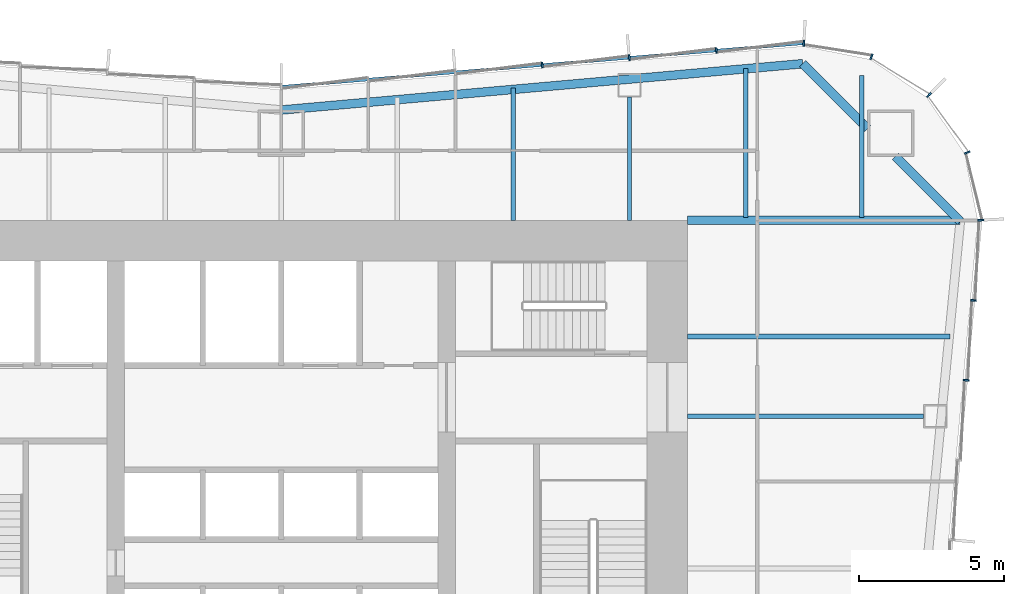
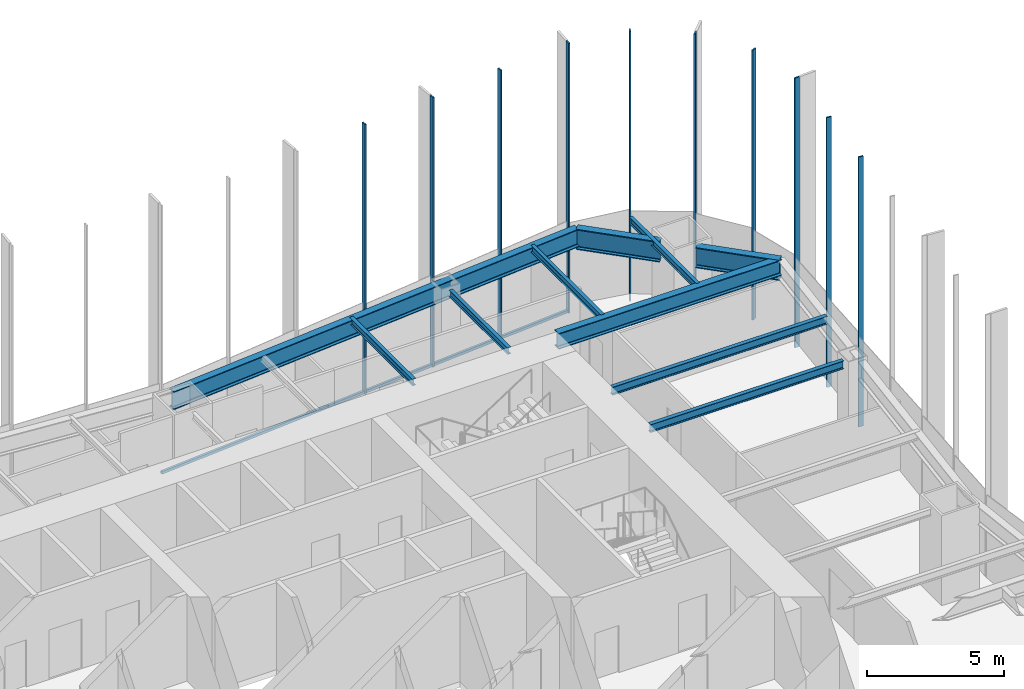
# One storey, part 7 of 13: 11 members, 10 beams, 3 elements without a shape of their own.
"""IFC4 building model written with IfcOpenShell, lengths in metres."""

from ifc_helpers import new_model, si_unit, direction, frame, origin, origin_2d, place, context, subcontext, project, spatial, rectangle, i_section, extrude, material, material_profile, profile_set, type_object, element, aggregate, save


model = new_model("IFC4")

# Units and contexts
model_context = context("Model", 3, precision=1e-05, world=origin(), true_north=direction((0.0, 1.0)))
body_context = subcontext(model_context, "Body", "Model", "MODEL_VIEW")
ifc_project = project(units=[si_unit("LENGTHUNIT", "METRE"), si_unit("AREAUNIT", "SQUARE_METRE"), si_unit("VOLUMEUNIT", "CUBIC_METRE"), si_unit("PLANEANGLEUNIT", "RADIAN"), si_unit("MASSUNIT", "GRAM", prefix="KILO")], contexts=[model_context])

# Site, building, storey
site_placement = place(None, origin())
site = spatial("IfcSite", under=ifc_project, at=site_placement, CompositionType="ELEMENT")
building_placement = place(site_placement, origin())
building = spatial("IfcBuilding", under=site, at=building_placement, Name="Verdant Reach Tower", CompositionType="ELEMENT")
storey_placement = place(building_placement, frame((0.0, 0.0, 14.0)))
storey = spatial("IfcBuildingStorey", under=building, at=storey_placement, Name="L02", CompositionType="ELEMENT", Elevation=14.0)

# Curtain wall, members
ifc_material_1 = material(Name="Anodised aluminium", Category="aluminium")
curtain_wall_type = type_object("IfcCurtainWallType", Name="EN-CW SYSTEM Z0", PredefinedType="NOTDEFINED", material=ifc_material_1)
curtain_wall_1_placement = place(storey_placement, origin())
curtain_wall_1 = element("IfcCurtainWall", 1, at=curtain_wall_1_placement, inside=storey, type_object=curtain_wall_type, Name="Curtain wall east, L02", PredefinedType="NOTDEFINED")
ifc_material_profile_1 = material_profile(ifc_material_1, rectangle(XDim=0.199951171875, YDim=0.06005859375, at=origin_2d()), Name="Mullion 60x200")
ifc_profile_set_1 = profile_set([ifc_material_profile_1], Name="Anodised aluminium")
member_type_1 = type_object("IfcMemberType", Name="EN-MULLION Z0", PredefinedType="MULLION", material=ifc_profile_set_1)
member_1_placement = place(storey_placement, frame((23.599609375, 33.490966796875, -0.35009765625), z_axis=(0.0, 0.0, 1.0), x_axis=(0.995893206467, -0.090535746047, 0.0)))
member_1 = element("IfcMember", 2, at=member_1_placement, type_object=member_type_1, Name="Mullion east face part 2 5, L02", PredefinedType="MULLION", context=body_context, shape_type="SweptSolid", body=[
    extrude(rectangle(XDim=0.199951171875, YDim=0.06005859375, at=origin_2d()), origin(), (0.0, 0.0, 1.0), 12.0),
])
member_2_placement = place(storey_placement, frame((23.849609375, 36.240966796875, -0.35009765625), z_axis=(0.0, 0.0, 1.0), x_axis=(0.995893206467, -0.090535746047, 0.0)))
member_2 = element("IfcMember", 3, at=member_2_placement, type_object=member_type_1, Name="Mullion east face part 2 6, L02", PredefinedType="MULLION", context=body_context, shape_type="SweptSolid", body=[
    extrude(rectangle(XDim=0.199951171875, YDim=0.06005859375, at=origin_2d()), origin(), (0.0, 0.0, 1.0), 12.0),
])
aggregate(curtain_wall_1, [member_1, member_2])

curtain_wall_2_placement = place(storey_placement, origin())
curtain_wall_2 = element("IfcCurtainWall", 4, at=curtain_wall_2_placement, inside=storey, type_object=curtain_wall_type, Name="Curtain wall north-east corner, L02", PredefinedType="NOTDEFINED")
member_3_placement = place(storey_placement, frame((24.099853515625, 39.00537109375, -0.35009765625), z_axis=(0.0, 0.0, 1.0), x_axis=(0.998604288049, 0.052815489107, 0.0)))
member_3 = element("IfcMember", 5, at=member_3_placement, type_object=member_type_1, Name="Mullion north-east corner 1, L02", PredefinedType="MULLION", context=body_context, shape_type="SweptSolid", body=[
    extrude(rectangle(XDim=0.199951171875, YDim=0.06005859375, at=origin_2d()), origin(), (0.0, 0.0, 1.0), 12.0),
])
member_4_placement = place(storey_placement, frame((23.6357421875, 41.33447265625, -0.35009765625), z_axis=(0.0, 0.0, 1.0), x_axis=(0.923875215753, 0.382693853776, 0.0)))
member_4 = element("IfcMember", 6, at=member_4_placement, type_object=member_type_1, Name="Mullion north-east corner 2, L02", PredefinedType="MULLION", context=body_context, shape_type="SweptSolid", body=[
    extrude(rectangle(XDim=0.199951171875, YDim=0.06005859375, at=origin_2d()), origin(), (0.0, 0.0, 1.0), 12.0),
])
member_5_placement = place(storey_placement, frame((22.313232421875, 43.313232421875, -0.35009765625), z_axis=(0.0, 0.0, 1.0), x_axis=(0.707106781187, 0.707106781187, 0.0)))
member_5 = element("IfcMember", 7, at=member_5_placement, type_object=member_type_1, Name="Mullion north-east corner 3, L02", PredefinedType="MULLION", context=body_context, shape_type="SweptSolid", body=[
    extrude(rectangle(XDim=0.199951171875, YDim=0.06005859375, at=origin_2d()), origin(), (0.0, 0.0, 1.0), 12.0),
])
member_6_placement = place(storey_placement, frame((20.33447265625, 44.6357421875, -0.35009765625), z_axis=(0.0, 0.0, 1.0), x_axis=(0.382693853776, 0.923875215753, 0.0)))
member_6 = element("IfcMember", 8, at=member_6_placement, type_object=member_type_1, Name="Mullion north-east corner 4, L02", PredefinedType="MULLION", context=body_context, shape_type="SweptSolid", body=[
    extrude(rectangle(XDim=0.199951171875, YDim=0.06005859375, at=origin_2d()), origin(), (0.0, 0.0, 1.0), 12.0),
])
aggregate(curtain_wall_2, [member_3, member_4, member_5, member_6])

curtain_wall_3_placement = place(storey_placement, origin())
curtain_wall_3 = element("IfcCurtainWall", 9, at=curtain_wall_3_placement, inside=storey, type_object=curtain_wall_type, Name="Curtain wall north, L02", PredefinedType="NOTDEFINED")
member_7_placement = place(storey_placement, frame((18.005615234375, 45.099853515625, -0.35009765625), z_axis=(0.0, 0.0, 1.0), x_axis=(0.056569187765, 0.998398681387, 0.0)))
member_7 = element("IfcMember", 10, at=member_7_placement, type_object=member_type_1, Name="Mullion north face part 1 1, L02", PredefinedType="MULLION", context=body_context, shape_type="SweptSolid", body=[
    extrude(rectangle(XDim=0.199951171875, YDim=0.06005859375, at=origin_2d()), origin(), (0.0, 0.0, 1.0), 12.0),
])
member_8_placement = place(storey_placement, frame((14.99169921875, 44.849609375, -0.35009765625), z_axis=(0.0, 0.0, 1.0), x_axis=(-0.083045479859, 0.996545758244, 0.0)))
member_8 = element("IfcMember", 11, at=member_8_placement, type_object=member_type_1, Name="Mullion north face part 1 2, L02", PredefinedType="MULLION", context=body_context, shape_type="SweptSolid", body=[
    extrude(rectangle(XDim=0.199951171875, YDim=0.06005859375, at=origin_2d()), origin(), (0.0, 0.0, 1.0), 12.0),
])
member_9_placement = place(storey_placement, frame((11.99169921875, 44.599609375, -0.35009765625), z_axis=(0.0, 0.0, 1.0), x_axis=(-0.083045479859, 0.996545758244, 0.0)))
member_9 = element("IfcMember", 12, at=member_9_placement, type_object=member_type_1, Name="Mullion north face part 1 3, L02", PredefinedType="MULLION", context=body_context, shape_type="SweptSolid", body=[
    extrude(rectangle(XDim=0.199951171875, YDim=0.06005859375, at=origin_2d()), origin(), (0.0, 0.0, 1.0), 12.0),
])
member_10_placement = place(storey_placement, frame((8.99169921875, 44.349609375, -0.35009765625), z_axis=(0.0, 0.0, 1.0), x_axis=(-0.083045479859, 0.996545758244, 0.0)))
member_10 = element("IfcMember", 13, at=member_10_placement, type_object=member_type_1, Name="Mullion north face part 1 4, L02", PredefinedType="MULLION", context=body_context, shape_type="SweptSolid", body=[
    extrude(rectangle(XDim=0.199951171875, YDim=0.06005859375, at=origin_2d()), origin(), (0.0, 0.0, 1.0), 12.0),
])
ifc_material_profile_2 = material_profile(ifc_material_1, rectangle(XDim=0.10009765625, YDim=0.1201171875, at=origin_2d()), Name="Transom 120x100")
ifc_profile_set_2 = profile_set([ifc_material_profile_2], Name="Anodised aluminium")
member_type_2 = type_object("IfcMemberType", Name="EN-TRANSOM Z0", PredefinedType="USERDEFINED", material=ifc_profile_set_2)
member_11_placement = place(storey_placement, frame((17.975830078125, 45.097412109375, -0.2900390625), z_axis=(-0.996548656072, -0.083010698588, 0.0), x_axis=(0.083010698588, -0.996548656072, 0.0)))
member_11 = element("IfcMember", 14, at=member_11_placement, type_object=member_type_2, Name="Transom north face part 1 1.1, L02", ObjectType="TRANSOM", PredefinedType="USERDEFINED", context=body_context, shape_type="SweptSolid", body=[
    extrude(rectangle(XDim=0.10009765625, YDim=0.1201171875, at=origin_2d()), origin(), (0.0, 0.0, 1.0), 18.00830078125),
])
aggregate(curtain_wall_3, [member_7, member_8, member_9, member_10, member_11])

# Beams
ifc_material_2 = material(Name="Steel S355", Category="steel")
ifc_material_profile_3 = material_profile(ifc_material_2, i_section(OverallWidth=0.300048828125, OverallDepth=0.699951171875, WebThickness=0.01708984375, FlangeThickness=0.031982421875, FilletRadius=0.027099609375, at=origin_2d()), Name="HEB 700")
ifc_profile_set_3 = profile_set([ifc_material_profile_3], Name="Steel S355")
beam_type_1 = type_object("IfcBeamType", Name="ST-BEAM-HEB700", PredefinedType="BEAM", material=ifc_profile_set_3)
beam_1_placement = place(storey_placement, frame((14.0, 39.0, 3.52001953125), z_axis=(1.0, 0.0, 0.0), x_axis=(0.0, 1.0, 0.0)))
element("IfcBeam", 15, at=beam_1_placement, inside=storey, type_object=beam_type_1, Name="Trimmer beam, L02", PredefinedType="BEAM", context=body_context, shape_type="SweptSolid", body=[
    extrude(i_section(OverallWidth=0.300048828125, OverallDepth=0.699951171875, WebThickness=0.01708984375, FlangeThickness=0.031982421875, FilletRadius=0.027099609375, at=origin_2d()), origin(), (0.0, 0.0, 1.0), 9.38818359375),
])
ifc_material_profile_4 = material_profile(ifc_material_2, i_section(OverallWidth=0.14990234375, OverallDepth=0.300048828125, WebThickness=0.007080078125, FlangeThickness=0.0107421875, FilletRadius=0.014892578125, at=origin_2d()), Name="IPE 300")
ifc_profile_set_4 = profile_set([ifc_material_profile_4], Name="Steel S355")
beam_type_2 = type_object("IfcBeamType", Name="ST-JOIST-IPE300", PredefinedType="JOIST", material=ifc_profile_set_4)
beam_2_placement = place(storey_placement, frame((8.0, 39.0, 3.719970703125), z_axis=(0.0, 1.0, 0.0), x_axis=(-1.0, 0.0, 0.0)))
element("IfcBeam", 16, at=beam_2_placement, inside=storey, type_object=beam_type_2, Name="Floor joist, L02", PredefinedType="JOIST", context=body_context, shape_type="SweptSolid", body=[
    extrude(i_section(OverallWidth=0.14990234375, OverallDepth=0.300048828125, WebThickness=0.007080078125, FlangeThickness=0.0107421875, FilletRadius=0.014892578125, at=origin_2d()), origin(), (0.0, 0.0, 1.0), 4.564697265625),
])
beam_3_placement = place(storey_placement, frame((12.0, 39.0, 3.719970703125), z_axis=(0.0, 1.0, 0.0), x_axis=(-1.0, 0.0, 0.0)))
element("IfcBeam", 17, at=beam_3_placement, inside=storey, type_object=beam_type_2, Name="Floor joist, L02", PredefinedType="JOIST", context=body_context, shape_type="SweptSolid", body=[
    extrude(i_section(OverallWidth=0.14990234375, OverallDepth=0.300048828125, WebThickness=0.007080078125, FlangeThickness=0.0107421875, FilletRadius=0.014892578125, at=origin_2d()), origin(), (0.0, 0.0, 1.0), 4.25),
])
beam_4_placement = place(storey_placement, frame((16.0, 39.10009765625, 3.719970703125), z_axis=(0.0, 1.0, 0.0), x_axis=(-1.0, 0.0, 0.0)))
element("IfcBeam", 18, at=beam_4_placement, inside=storey, type_object=beam_type_2, Name="Floor joist, L02", PredefinedType="JOIST", context=body_context, shape_type="SweptSolid", body=[
    extrude(i_section(OverallWidth=0.14990234375, OverallDepth=0.300048828125, WebThickness=0.007080078125, FlangeThickness=0.0107421875, FilletRadius=0.014892578125, at=origin_2d()), origin(), (0.0, 0.0, 1.0), 5.131103515625),
])
beam_5_placement = place(storey_placement, frame((20.0, 39.10009765625, 3.719970703125), z_axis=(0.0, 1.0, 0.0), x_axis=(-1.0, 0.0, 0.0)))
element("IfcBeam", 19, at=beam_5_placement, inside=storey, type_object=beam_type_2, Name="Floor joist, L02", PredefinedType="JOIST", context=body_context, shape_type="SweptSolid", body=[
    extrude(i_section(OverallWidth=0.14990234375, OverallDepth=0.300048828125, WebThickness=0.007080078125, FlangeThickness=0.0107421875, FilletRadius=0.014892578125, at=origin_2d()), origin(), (0.0, 0.0, 1.0), 4.890380859375),
])
ifc_material_profile_5 = material_profile(ifc_material_2, i_section(OverallWidth=0.169921875, OverallDepth=0.360107421875, WebThickness=0.008056640625, FlangeThickness=0.0126953125, FilletRadius=0.01806640625, at=origin_2d()), Name="IPE 360")
ifc_profile_set_5 = profile_set([ifc_material_profile_5], Name="Steel S355")
beam_type_3 = type_object("IfcBeamType", Name="ST-JOIST-IPE360", PredefinedType="JOIST", material=ifc_profile_set_5)
beam_6_placement = place(storey_placement, frame((14.0, 32.25, 3.68994140625), z_axis=(1.0, 0.0, 0.0), x_axis=(0.0, 1.0, 0.0)))
element("IfcBeam", 20, at=beam_6_placement, inside=storey, type_object=beam_type_3, Name="Floor joist, L02", PredefinedType="JOIST", context=body_context, shape_type="SweptSolid", body=[
    extrude(i_section(OverallWidth=0.169921875, OverallDepth=0.360107421875, WebThickness=0.008056640625, FlangeThickness=0.0126953125, FilletRadius=0.01806640625, at=origin_2d()), origin(), (0.0, 0.0, 1.0), 8.136474609375),
])
beam_7_placement = place(storey_placement, frame((14.0, 35.0, 3.68994140625), z_axis=(1.0, 0.0, 0.0), x_axis=(0.0, 1.0, 0.0)))
element("IfcBeam", 21, at=beam_7_placement, inside=storey, type_object=beam_type_3, Name="Floor joist, L02", PredefinedType="JOIST", context=body_context, shape_type="SweptSolid", body=[
    extrude(i_section(OverallWidth=0.169921875, OverallDepth=0.360107421875, WebThickness=0.008056640625, FlangeThickness=0.0126953125, FilletRadius=0.01806640625, at=origin_2d()), origin(), (0.0, 0.0, 1.0), 9.033935546875),
])
ifc_material_profile_6 = material_profile(ifc_material_2, i_section(OverallWidth=0.300048828125, OverallDepth=0.800048828125, WebThickness=0.017578125, FlangeThickness=0.032958984375, FilletRadius=0.030029296875, at=origin_2d()), Name="HEB 800")
ifc_profile_set_6 = profile_set([ifc_material_profile_6], Name="Steel S355")
beam_type_4 = type_object("IfcBeamType", Name="ST-SPANDREL-HEB800", PredefinedType="SPANDREL", material=ifc_profile_set_6)
beam_8_placement = place(storey_placement, frame((0.0, 42.800048828125, 3.469970703125), z_axis=(0.996082370463, 0.088430262084, 0.0), x_axis=(-0.088430262084, 0.996082370463, 0.0)))
element("IfcBeam", 22, at=beam_8_placement, inside=storey, type_object=beam_type_4, Name="Edge beam, L02", PredefinedType="SPANDREL", context=body_context, shape_type="SweptSolid", body=[
    extrude(i_section(OverallWidth=0.300048828125, OverallDepth=0.800048828125, WebThickness=0.017578125, FlangeThickness=0.032958984375, FilletRadius=0.030029296875, at=origin_2d()), origin(), (0.0, 0.0, 1.0), 18.036376953125),
])
ifc_material_profile_7 = material_profile(ifc_material_2, i_section(OverallWidth=0.302001953125, OverallDepth=0.909912109375, WebThickness=0.02099609375, FlangeThickness=0.0400390625, FilletRadius=0.030029296875, at=origin_2d()), Name="HEM 900")
ifc_profile_set_7 = profile_set([ifc_material_profile_7], Name="Steel S355")
beam_type_5 = type_object("IfcBeamType", Name="ST-SPANDREL-HEM900", PredefinedType="SPANDREL", material=ifc_profile_set_7)
beam_9_placement = place(storey_placement, frame((17.9658203125, 44.39501953125, 3.4150390625), z_axis=(0.707222697162, -0.706990846206, 0.0), x_axis=(0.706990846206, 0.707222697162, 0.0)))
element("IfcBeam", 23, at=beam_9_placement, inside=storey, type_object=beam_type_5, Name="Edge beam, L02", PredefinedType="SPANDREL", context=body_context, shape_type="SweptSolid", body=[
    extrude(i_section(OverallWidth=0.302001953125, OverallDepth=0.909912109375, WebThickness=0.02099609375, FlangeThickness=0.0400390625, FilletRadius=0.030029296875, at=origin_2d()), origin(), (0.0, 0.0, 1.0), 3.158935546875),
])
beam_10_placement = place(storey_placement, frame((21.161865234375, 41.199951171875, 3.4150390625), z_axis=(0.70722277322, -0.706990770123, 0.0), x_axis=(0.706990770123, 0.70722277322, 0.0)))
element("IfcBeam", 24, at=beam_10_placement, inside=storey, type_object=beam_type_5, Name="Edge beam, L02", PredefinedType="SPANDREL", context=body_context, shape_type="SweptSolid", body=[
    extrude(i_section(OverallWidth=0.302001953125, OverallDepth=0.909912109375, WebThickness=0.02099609375, FlangeThickness=0.0400390625, FilletRadius=0.030029296875, at=origin_2d()), origin(), (0.0, 0.0, 1.0), 3.156982421875),
])

save(model, "model.ifc")
